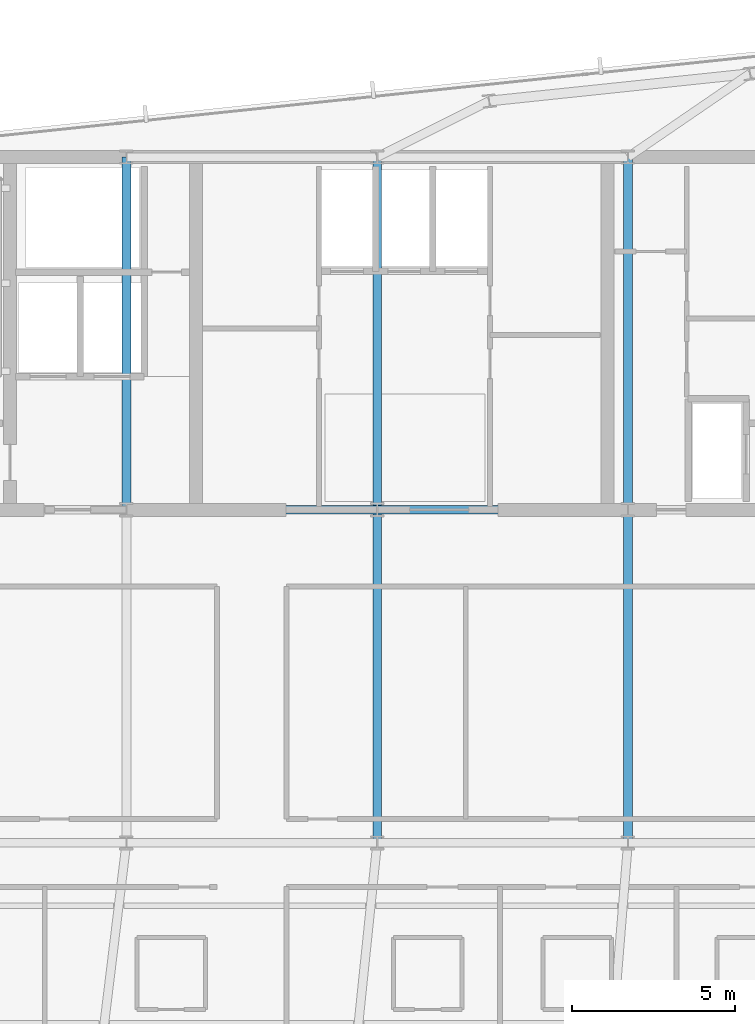
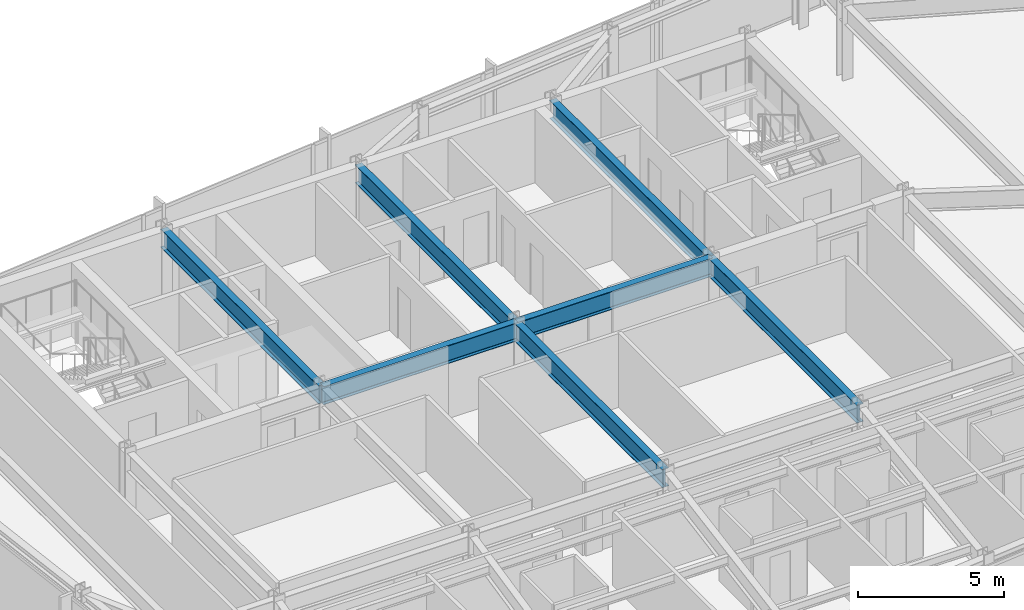
# One storey, part 13 of 33: 7 beams.
"""IFC4 building model written with IfcOpenShell, lengths in metres."""

from ifc_helpers import new_model, si_unit, direction, frame, origin, origin_2d, place, context, subcontext, project, spatial, i_section, extrude, material, material_profile, profile_set, type_object, element, save


model = new_model("IFC4")

# Units and contexts
model_context = context("Model", 3, precision=1e-05, world=origin(), true_north=direction((0.0, 1.0)))
body_context = subcontext(model_context, "Body", "Model", "MODEL_VIEW")
ifc_project = project(units=[si_unit("LENGTHUNIT", "METRE"), si_unit("AREAUNIT", "SQUARE_METRE"), si_unit("VOLUMEUNIT", "CUBIC_METRE"), si_unit("PLANEANGLEUNIT", "RADIAN"), si_unit("MASSUNIT", "GRAM", prefix="KILO")], contexts=[model_context])

# Site, building, storey
site_placement = place(None, origin())
site = spatial("IfcSite", under=ifc_project, at=site_placement, CompositionType="ELEMENT")
building_placement = place(site_placement, origin())
building = spatial("IfcBuilding", under=site, at=building_placement, Name="Yelkora Congress Tower", CompositionType="ELEMENT")
storey_placement = place(building_placement, frame((0.0, 0.0, 221.0)))
storey = spatial("IfcBuildingStorey", under=building, at=storey_placement, Name="L61", CompositionType="ELEMENT", Elevation=221.0)

# Beams
ifc_material = material(Name="Steel S355J2", Category="steel")
ifc_material_profile = material_profile(ifc_material, i_section(OverallWidth=0.26708984375, OverallDepth=0.761962890625, WebThickness=0.014404296875, FlangeThickness=0.021484375, FilletRadius=0.01708984375, at=origin_2d()), Name="IPE 750x173")
ifc_profile_set = profile_set([ifc_material_profile], Name="Steel S355J2")
beam_type = type_object("IfcBeamType", Name="BM-GIRD-IPE750", PredefinedType="BEAM", material=ifc_profile_set)
beam_1_placement = place(storey_placement, frame((30.719970703125, 35.39990234375, 2.698974609375), z_axis=(1.0, 0.0, 0.0), x_axis=(0.0, 1.0, 0.0)))
element("IfcBeam", 1, at=beam_1_placement, inside=storey, type_object=beam_type, Name="L61 Core South Girder 2", PredefinedType="BEAM", context=body_context, shape_type="SweptSolid", body=[
    extrude(i_section(OverallWidth=0.26708984375, OverallDepth=0.761962890625, WebThickness=0.014404296875, FlangeThickness=0.021484375, FilletRadius=0.01708984375, at=origin_2d()), origin(), (0.0, 0.0, 1.0), 7.679931640625),
])
beam_2_placement = place(storey_placement, frame((38.39990234375, 35.39990234375, 2.698974609375), z_axis=(1.0, 0.0, 0.0), x_axis=(0.0, 1.0, 0.0)))
element("IfcBeam", 2, at=beam_2_placement, inside=storey, type_object=beam_type, Name="L61 Core South Girder 3", PredefinedType="BEAM", context=body_context, shape_type="SweptSolid", body=[
    extrude(i_section(OverallWidth=0.26708984375, OverallDepth=0.761962890625, WebThickness=0.014404296875, FlangeThickness=0.021484375, FilletRadius=0.01708984375, at=origin_2d()), origin(), (0.0, 0.0, 1.0), 7.68017578125),
])
beam_3_placement = place(storey_placement, frame((30.719970703125, 35.39990234375, 2.698974609375), z_axis=(0.0, 1.0, 0.0), x_axis=(-1.0, 0.0, 0.0)))
element("IfcBeam", 3, at=beam_3_placement, inside=storey, type_object=beam_type, Name="L61 Core Tie Girder MC-S2", PredefinedType="BEAM", context=body_context, shape_type="SweptSolid", body=[
    extrude(i_section(OverallWidth=0.26708984375, OverallDepth=0.761962890625, WebThickness=0.014404296875, FlangeThickness=0.021484375, FilletRadius=0.01708984375, at=origin_2d()), origin(), (0.0, 0.0, 1.0), 10.800048828125),
])
beam_4_placement = place(storey_placement, frame((38.39990234375, 25.199951171875, 2.698974609375), z_axis=(0.0, 1.0, 0.0), x_axis=(-1.0, 0.0, 0.0)))
element("IfcBeam", 4, at=beam_4_placement, inside=storey, type_object=beam_type, Name="L61 Core Tie Girder MC-D3", PredefinedType="BEAM", context=body_context, shape_type="SweptSolid", body=[
    extrude(i_section(OverallWidth=0.26708984375, OverallDepth=0.761962890625, WebThickness=0.014404296875, FlangeThickness=0.021484375, FilletRadius=0.01708984375, at=origin_2d()), origin(), (0.0, 0.0, 1.0), 10.199951171875),
])
beam_5_placement = place(storey_placement, frame((38.39990234375, 35.39990234375, 2.698974609375), z_axis=(0.0, 1.0, 0.0), x_axis=(-1.0, 0.0, 0.0)))
element("IfcBeam", 5, at=beam_5_placement, inside=storey, type_object=beam_type, Name="L61 Core Tie Girder MC-S3", PredefinedType="BEAM", context=body_context, shape_type="SweptSolid", body=[
    extrude(i_section(OverallWidth=0.26708984375, OverallDepth=0.761962890625, WebThickness=0.014404296875, FlangeThickness=0.021484375, FilletRadius=0.01708984375, at=origin_2d()), origin(), (0.0, 0.0, 1.0), 10.800048828125),
])
beam_6_placement = place(storey_placement, frame((46.080078125, 25.199951171875, 2.698974609375), z_axis=(0.0, 1.0, 0.0), x_axis=(-1.0, 0.0, 0.0)))
element("IfcBeam", 6, at=beam_6_placement, inside=storey, type_object=beam_type, Name="L61 Core Tie Girder MC-D4", PredefinedType="BEAM", context=body_context, shape_type="SweptSolid", body=[
    extrude(i_section(OverallWidth=0.26708984375, OverallDepth=0.761962890625, WebThickness=0.014404296875, FlangeThickness=0.021484375, FilletRadius=0.01708984375, at=origin_2d()), origin(), (0.0, 0.0, 1.0), 10.199951171875),
])
beam_7_placement = place(storey_placement, frame((46.080078125, 35.39990234375, 2.698974609375), z_axis=(0.0, 1.0, 0.0), x_axis=(-1.0, 0.0, 0.0)))
element("IfcBeam", 7, at=beam_7_placement, inside=storey, type_object=beam_type, Name="L61 Core Tie Girder MC-S4", PredefinedType="BEAM", context=body_context, shape_type="SweptSolid", body=[
    extrude(i_section(OverallWidth=0.26708984375, OverallDepth=0.761962890625, WebThickness=0.014404296875, FlangeThickness=0.021484375, FilletRadius=0.01708984375, at=origin_2d()), origin(), (0.0, 0.0, 1.0), 10.800048828125),
])

save(model, "model.ifc")
